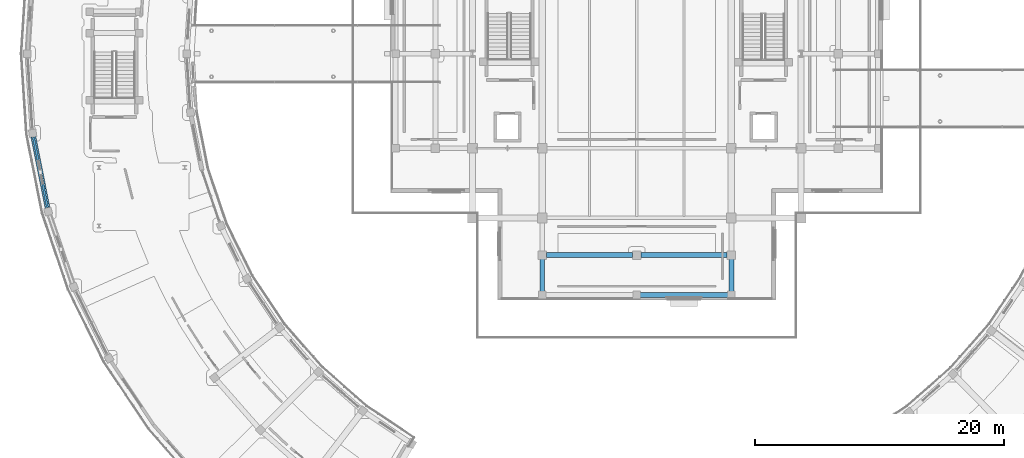
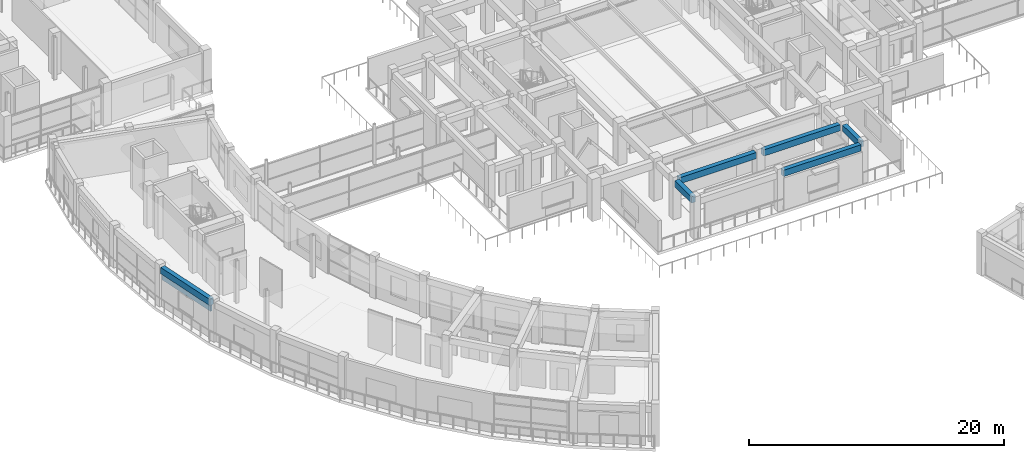
# One storey, part 16 of 72: 6 beams, 1 member.
"""IFC4 building model written with IfcOpenShell, lengths in metres."""

from ifc_helpers import new_model, si_unit, direction, frame, origin, origin_2d, place, context, subcontext, project, spatial, rectangle, extrude, material, material_profile, profile_set, type_object, element, save


model = new_model("IFC4")

# Units and contexts
model_context = context("Model", 3, precision=1e-05, world=origin(), true_north=direction((0.0, 1.0)))
body_context = subcontext(model_context, "Body", "Model", "MODEL_VIEW")
ifc_project = project(units=[si_unit("LENGTHUNIT", "METRE"), si_unit("AREAUNIT", "SQUARE_METRE"), si_unit("VOLUMEUNIT", "CUBIC_METRE"), si_unit("PLANEANGLEUNIT", "RADIAN"), si_unit("MASSUNIT", "GRAM", prefix="KILO")], contexts=[model_context])

# Site, building, storey
site_placement = place(None, origin())
site = spatial("IfcSite", under=ifc_project, at=site_placement, CompositionType="ELEMENT")
building_placement = place(site_placement, origin())
building = spatial("IfcBuilding", under=site, at=building_placement, Name="Saryqyr Civic Hall", CompositionType="ELEMENT")
storey_placement = place(building_placement, frame((0.0, 0.0, 17.25)))
storey = spatial("IfcBuildingStorey", under=building, at=storey_placement, Name="L04", CompositionType="ELEMENT", Elevation=17.25)

# Member
ifc_material_1 = material(Name="Precast concrete C40/50", Category="concrete")
ifc_material_profile_1 = material_profile(ifc_material_1, rectangle(XDim=0.179931640625, YDim=0.550048828125, at=origin_2d()), Name="PC FIN 180x550")
ifc_profile_set_1 = profile_set([ifc_material_profile_1], Name="Precast concrete C40/50")
member_type = type_object("IfcMemberType", Name="ENV-FIN-PC550", PredefinedType="USERDEFINED", material=ifc_profile_set_1)
member_placement = place(storey_placement, frame((8.481201171875, 77.292236328125, 2.820068359375), z_axis=(0.195115764728, -0.98078021919, 0.0), x_axis=(0.98078021919, 0.195115764728, 0.0)))
element("IfcMember", 1, at=member_placement, inside=storey, type_object=member_type, Name="Precast horizontal solar brise-soleil fin V4-L04-03", ObjectType="SOLAR_FIN", PredefinedType="USERDEFINED", context=body_context, shape_type="SweptSolid", body=[
    extrude(rectangle(XDim=0.179931640625, YDim=0.550048828125, at=origin_2d()), origin(), (0.0, 0.0, 1.0), 5.773193359375),
])

# Beams
ifc_material_2 = material(Name="Concrete C35/45", Category="concrete")
ifc_material_profile_2 = material_profile(ifc_material_2, rectangle(XDim=0.39990234375, YDim=0.60009765625, at=origin_2d()), Name="RC 400x600")
ifc_profile_set_2 = profile_set([ifc_material_profile_2], Name="Concrete C35/45")
beam_type_1 = type_object("IfcBeamType", Name="STR-BM-RC400x600", PredefinedType="BEAM", material=ifc_profile_set_2)
for number, where, z_axis, x_axis, name in (
    (2, (49.72509765625, 67.800048828125, 3.409912109375), (1.0, 0.0, 0.0), (0.0, 1.0, 0.0), "Beam V1-TBM-15-L04"),
    (3, (57.324951171875, 67.800048828125, 3.409912109375), (1.0, 0.0, 0.0), (0.0, 1.0, 0.0), "Beam V1-TBM-16-L04"),
):
    element("IfcBeam", number, at=place(storey_placement, frame(where, z_axis=z_axis, x_axis=x_axis)), inside=storey, type_object=beam_type_1, Name=name, PredefinedType="BEAM", context=body_context, shape_type="SweptSolid", body=[
        extrude(rectangle(XDim=0.39990234375, YDim=0.60009765625, at=origin_2d()), origin(), (0.0, 0.0, 1.0), 6.949951171875),
    ])
for number, where, z_axis, x_axis, name in (
    (4, (49.39990234375, 64.875, 3.409912109375), (0.0, 1.0, 0.0), (-1.0, 0.0, 0.0), "Beam V1-TBM-25-L04"),
    (5, (64.60009765625, 64.875, 3.409912109375), (0.0, 1.0, 0.0), (-1.0, 0.0, 0.0), "Beam V1-TBM-26-L04"),
):
    element("IfcBeam", number, at=place(storey_placement, frame(where, z_axis=z_axis, x_axis=x_axis)), inside=storey, type_object=beam_type_1, Name=name, PredefinedType="BEAM", context=body_context, shape_type="SweptSolid", body=[
        extrude(rectangle(XDim=0.39990234375, YDim=0.60009765625, at=origin_2d()), origin(), (0.0, 0.0, 1.0), 2.60009765625),
    ])
beam_1_placement = place(storey_placement, frame((57.27490234375, 64.60009765625, 3.409912109375), z_axis=(1.0, 0.0, 0.0), x_axis=(0.0, 1.0, 0.0)))
element("IfcBeam", 6, at=beam_1_placement, inside=storey, type_object=beam_type_1, Name="Beam V1-TBM-34-L04", PredefinedType="BEAM", context=body_context, shape_type="SweptSolid", body=[
    extrude(rectangle(XDim=0.39990234375, YDim=0.60009765625, at=origin_2d()), origin(), (0.0, 0.0, 1.0), 7.050048828125),
])
ifc_material_profile_3 = material_profile(ifc_material_2, rectangle(XDim=0.39990234375, YDim=0.60009765625, at=origin_2d()), Name="RC 400x600")
ifc_profile_set_3 = profile_set([ifc_material_profile_3], Name="Concrete C35/45")
beam_type_2 = type_object("IfcBeamType", Name="STR-BM-RC400x600-EXT", PredefinedType="BEAM", material=ifc_profile_set_3)
beam_2_placement = place(storey_placement, frame((8.472900390625, 77.33447265625, 3.4599609375), z_axis=(0.195082377398, -0.980786860653, 0.0), x_axis=(0.980786860653, 0.195082377398, 0.0)))
element("IfcBeam", 7, at=beam_2_placement, inside=storey, type_object=beam_type_2, Name="Beam V4-CBM-OUT03-L04", PredefinedType="BEAM", context=body_context, shape_type="SweptSolid", body=[
    extrude(rectangle(XDim=0.39990234375, YDim=0.60009765625, at=origin_2d()), origin(), (0.0, 0.0, 1.0), 5.859375),
])

save(model, "model.ifc")
